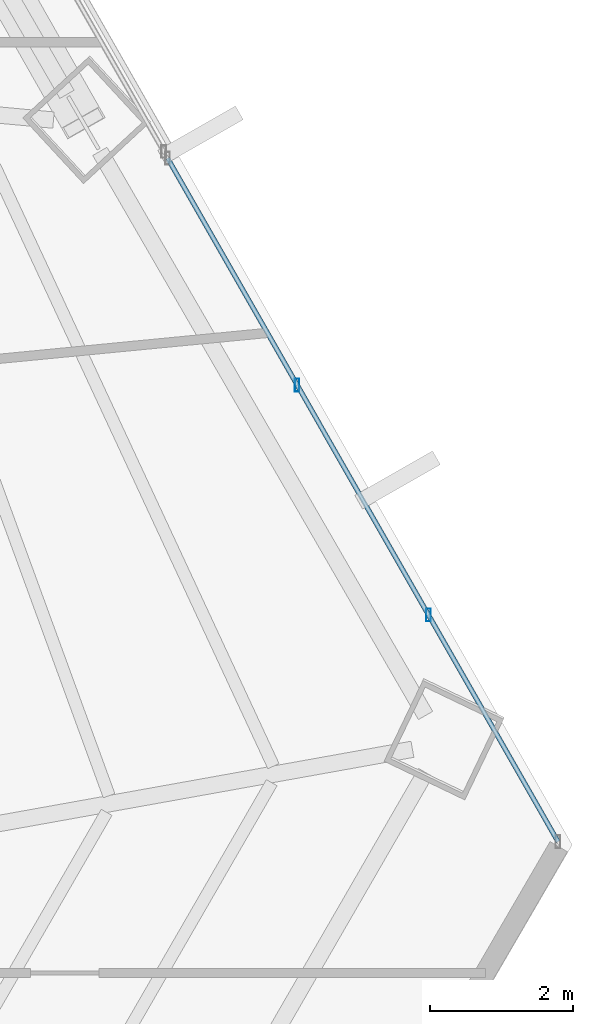
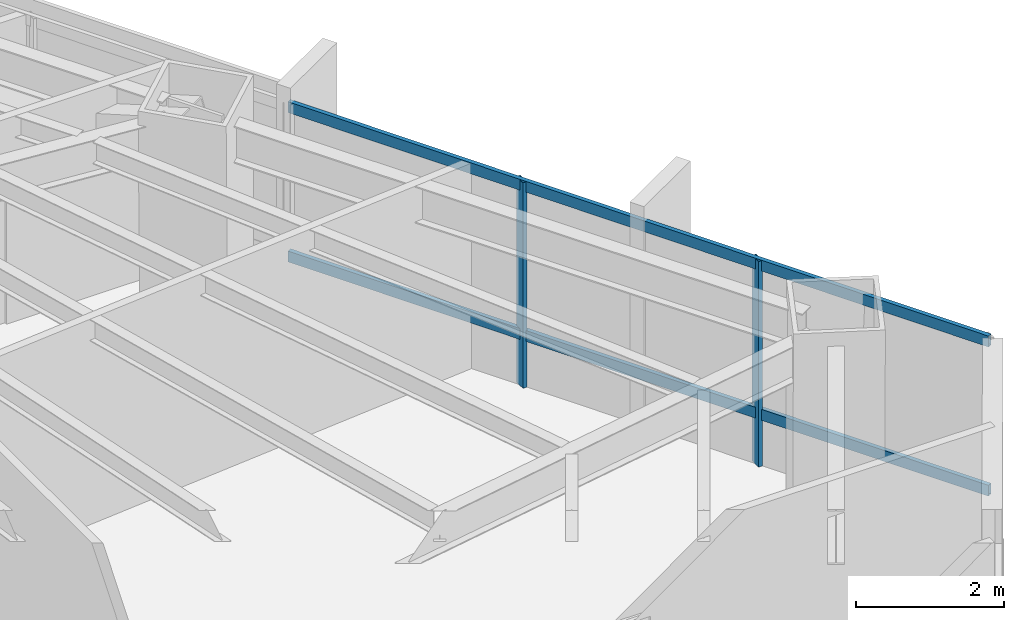
# One storey, part 22 of 35: 4 members, 1 element without a shape of its own.
"""IFC4 building model written with IfcOpenShell, lengths in metres."""

from ifc_helpers import new_model, si_unit, direction, frame, origin, origin_2d, place, context, subcontext, project, spatial, hollow_rectangle, extrude, source, transform, mapped, material, material_profile, profile_set, type_object, type_shapes, element, aggregate, save


model = new_model("IFC4")

# Units and contexts
model_context = context("Model", 3, precision=1e-05, world=origin(), true_north=direction((0.0, 1.0)))
body_context = subcontext(model_context, "Body", "Model", "MODEL_VIEW")
ifc_project = project(units=[si_unit("LENGTHUNIT", "METRE"), si_unit("AREAUNIT", "SQUARE_METRE"), si_unit("VOLUMEUNIT", "CUBIC_METRE"), si_unit("PLANEANGLEUNIT", "RADIAN"), si_unit("MASSUNIT", "GRAM", prefix="KILO")], contexts=[model_context])

# Site, building, storey
site_placement = place(None, origin())
site = spatial("IfcSite", under=ifc_project, at=site_placement, CompositionType="ELEMENT")
building_placement = place(site_placement, origin())
building = spatial("IfcBuilding", under=site, at=building_placement, Name="Caelisora Broadcast Tower", CompositionType="ELEMENT")
storey_placement = place(building_placement, frame((0.0, 0.0, 53.14990234375)))
storey = spatial("IfcBuildingStorey", under=building, at=storey_placement, Name="L13", CompositionType="ELEMENT", Elevation=53.14990234375)

# Curtain wall, members
ifc_material_1 = material(Name="Unitised Aluminium and Low-E Glass Curtain Wall", Category="glass")
curtain_wall_type = type_object("IfcCurtainWallType", Name="CW-Z1", PredefinedType="NOTDEFINED", material=ifc_material_1)
curtain_wall_placement = place(storey_placement, origin())
curtain_wall = element("IfcCurtainWall", 1, at=curtain_wall_placement, inside=storey, type_object=curtain_wall_type, Name="L13 curtain wall CW-Z1", PredefinedType="NOTDEFINED")
ifc_material_2 = material(Name="Aluminium 6063-T6 Anodised Terracotta Bronze", Category="aluminium")
ifc_material_profile_1 = material_profile(ifc_material_2, hollow_rectangle(XDim=0.06494140625, YDim=0.179931640625, WallThickness=0.00341796875, at=origin_2d()), Name="Aluminium 6063-T6 Anodised Terracotta Bronze")
ifc_profile_set_1 = profile_set([ifc_material_profile_1], Name="Aluminium 6063-T6 Anodised Terracotta Bronze")
member_type_1 = type_object("IfcMemberType", Name="CWM-02", PredefinedType="MULLION", material=ifc_profile_set_1)
shared_shape_1 = source(origin(), body_context, "Body", "SweptSolid", [
    extrude(hollow_rectangle(XDim=0.06494140625, YDim=0.179931640625, WallThickness=0.00341796875, at=origin_2d()), origin(), (0.0, 0.0, 1.0), 3.400146484375),
])
type_shapes(member_type_1, [shared_shape_1])
member_1_placement = place(storey_placement, frame((59.61669921875, 25.311279296875, 0.0), z_axis=(0.0, 0.0, 1.0), x_axis=(1.0, 0.0, 0.0)))
member_1 = element("IfcMember", 2, at=member_1_placement, type_object=member_type_1, Name="L13-CW-B03 mullion #1", PredefinedType="MULLION", context=body_context, shape_type="MappedRepresentation", body=[
    mapped(shared_shape_1, transform((0.0, 0.0, 0.0), scale=1.0)),
])
member_2_placement = place(storey_placement, frame((61.450927734375, 22.1005859375, 0.0), z_axis=(0.0, 0.0, 1.0), x_axis=(1.0, 0.0, 0.0)))
member_2 = element("IfcMember", 3, at=member_2_placement, type_object=member_type_1, Name="L13-CW-B03 mullion #2", PredefinedType="MULLION", context=body_context, shape_type="MappedRepresentation", body=[
    mapped(shared_shape_1, transform((0.0, 0.0, 0.0), scale=1.0)),
])
ifc_material_profile_2 = material_profile(ifc_material_2, hollow_rectangle(XDim=0.06494140625, YDim=0.179931640625, WallThickness=0.00341796875, at=origin_2d()), Name="Aluminium 6063-T6 Anodised Terracotta Bronze")
ifc_profile_set_2 = profile_set([ifc_material_profile_2], Name="Aluminium 6063-T6 Anodised Terracotta Bronze")
member_type_2 = type_object("IfcMemberType", Name="CWT-01", PredefinedType="USERDEFINED", material=ifc_profile_set_2)
shared_shape_2 = source(origin(), body_context, "Body", "SweptSolid", [
    extrude(hollow_rectangle(XDim=0.06494140625, YDim=0.179931640625, WallThickness=0.00341796875, at=origin_2d()), origin(), (0.0, 0.0, 1.0), 10.99267578125),
])
type_shapes(member_type_2, [shared_shape_2])
member_3_placement = place(storey_placement, frame((57.8076171875, 28.478515625, 0.85009765625), z_axis=(0.496019345874, -0.868311469761, 0.0), x_axis=(0.868311469761, 0.496019345874, 0.0)))
member_3 = element("IfcMember", 4, at=member_3_placement, type_object=member_type_2, Name="L13-CW-B03 transom #1", ObjectType="TRANSOM", PredefinedType="USERDEFINED", context=body_context, shape_type="MappedRepresentation", body=[
    mapped(shared_shape_2, transform((0.0, 0.0, 0.0), scale=1.0)),
])
member_4_placement = place(storey_placement, frame((57.8076171875, 28.478515625, 3.320068359375), z_axis=(0.496019345874, -0.868311469761, 0.0), x_axis=(0.868311469761, 0.496019345874, 0.0)))
member_4 = element("IfcMember", 5, at=member_4_placement, type_object=member_type_2, Name="L13-CW-B03 transom #2", ObjectType="TRANSOM", PredefinedType="USERDEFINED", context=body_context, shape_type="MappedRepresentation", body=[
    mapped(shared_shape_2, transform((0.0, 0.0, 0.0), scale=1.0)),
])
aggregate(curtain_wall, [member_1, member_2, member_3, member_4])

save(model, "model.ifc")
